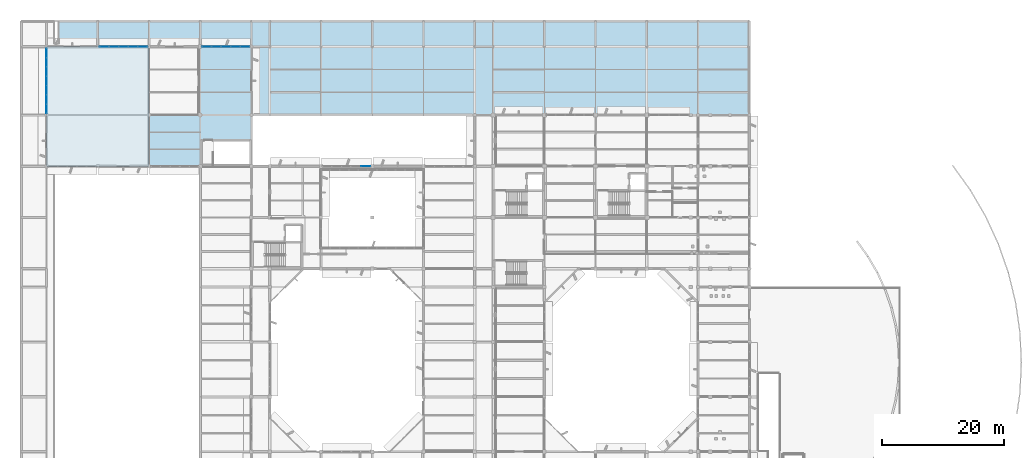
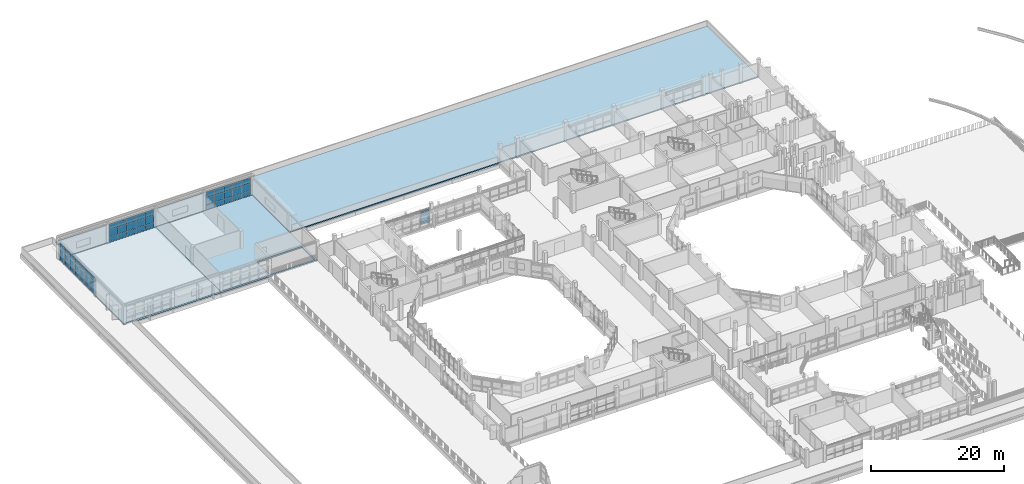
# One storey, part 54 of 92: 54 plates, 3 slabs, 4 elements without a shape of their own.
"""IFC4 building model written with IfcOpenShell, lengths in metres."""

from ifc_helpers import new_model, si_unit, direction, frame, origin, origin_2d, place, context, subcontext, project, spatial, polyline, rectangle, outline, extrude, material, layer, layer_set, type_object, element, aggregate, save


model = new_model("IFC4")

# Units and contexts
model_context = context("Model", 3, precision=1e-05, world=origin(), true_north=direction((0.0, 1.0)))
body_context = subcontext(model_context, "Body", "Model", "MODEL_VIEW")
ifc_project = project(units=[si_unit("LENGTHUNIT", "METRE"), si_unit("AREAUNIT", "SQUARE_METRE"), si_unit("VOLUMEUNIT", "CUBIC_METRE"), si_unit("PLANEANGLEUNIT", "RADIAN"), si_unit("MASSUNIT", "GRAM", prefix="KILO")], contexts=[model_context])

# Site, building, storey
site_placement = place(None, origin())
site = spatial("IfcSite", under=ifc_project, at=site_placement, CompositionType="ELEMENT")
building_placement = place(site_placement, origin())
building = spatial("IfcBuilding", under=site, at=building_placement, Name="Vanh Quang Courtyard School", CompositionType="ELEMENT")
storey_placement = place(building_placement, frame((0.0, 0.0, 7.800048828125)))
storey = spatial("IfcBuildingStorey", under=building, at=storey_placement, Name="L02", CompositionType="ELEMENT", Elevation=7.800048828125)

# Curtain wall, plates
ifc_material_1 = material(Name="Thermally broken aluminium unitised curtain wall", Category="aluminium")
curtain_wall_type_1 = type_object("IfcCurtainWallType", Name="CW-SYS-19", PredefinedType="NOTDEFINED", material=ifc_material_1)
curtain_wall_1_placement = place(storey_placement, origin())
curtain_wall_1 = element("IfcCurtainWall", 1, at=curtain_wall_1_placement, inside=storey, type_object=curtain_wall_type_1, Name="Curtain Wall CW-19 (L02)", PredefinedType="NOTDEFINED")
ifc_material_2 = material(Name="Low-E laminated double glazing", Category="glass")
ifc_layer_1 = layer(ifc_material_2, 0.028076171875)
ifc_layer_set_1 = layer_set([ifc_layer_1], Name="Low-E laminated double glazing")
plate_type_1 = type_object("IfcPlateType", Name="CW-PNL-28", PredefinedType="CURTAIN_PANEL", material=ifc_layer_set_1)
plate_1_placement = place(storey_placement, frame((56.53857421875, 88.199951171875, 0.06005859375), z_axis=(0.0, 0.0, 1.0), x_axis=(1.0, 0.0, 0.0)))
plate_1 = element("IfcPlate", 2, at=plate_1_placement, type_object=plate_type_1, Name="CW-19 panel 5.1", PredefinedType="CURTAIN_PANEL", context=body_context, shape_type="SweptSolid", body=[
    extrude(rectangle(XDim=1.48681640625, YDim=0.028076171875, at=origin_2d()), origin(), (0.0, 0.0, 1.0), 0.860107421875),
])
plate_2_placement = place(storey_placement, frame((56.53857421875, 88.199951171875, 0.97998046875), z_axis=(0.0, 0.0, 1.0), x_axis=(1.0, 0.0, 0.0)))
plate_2 = element("IfcPlate", 3, at=plate_2_placement, type_object=plate_type_1, Name="CW-19 panel 5.2", PredefinedType="CURTAIN_PANEL", context=body_context, shape_type="SweptSolid", body=[
    extrude(rectangle(XDim=1.48681640625, YDim=0.028076171875, at=origin_2d()), origin(), (0.0, 0.0, 1.0), 1.239990234375),
])
plate_3_placement = place(storey_placement, frame((56.53857421875, 88.199951171875, 2.27978515625), z_axis=(0.0, 0.0, 1.0), x_axis=(1.0, 0.0, 0.0)))
plate_3 = element("IfcPlate", 4, at=plate_3_placement, type_object=plate_type_1, Name="CW-19 panel 5.3", PredefinedType="CURTAIN_PANEL", context=body_context, shape_type="SweptSolid", body=[
    extrude(rectangle(XDim=1.48681640625, YDim=0.028076171875, at=origin_2d()), origin(), (0.0, 0.0, 1.0), 0.260009765625),
])
aggregate(curtain_wall_1, [plate_1, plate_2, plate_3])

curtain_wall_type_2 = type_object("IfcCurtainWallType", Name="CW-SYS-58", PredefinedType="NOTDEFINED", material=ifc_material_1)
curtain_wall_2_placement = place(storey_placement, origin())
curtain_wall_2 = element("IfcCurtainWall", 5, at=curtain_wall_2_placement, inside=storey, type_object=curtain_wall_type_2, Name="Curtain Wall CW-58 (L02)", PredefinedType="NOTDEFINED")
plate_4_placement = place(storey_placement, frame((13.663818359375, 107.800048828125, 0.06982421875), z_axis=(0.0, 0.0, 1.0), x_axis=(1.0, 0.0, 0.0)))
plate_4 = element("IfcPlate", 6, at=plate_4_placement, type_object=plate_type_1, Name="CW-58 panel 1.1", PredefinedType="CURTAIN_PANEL", context=body_context, shape_type="SweptSolid", body=[
    extrude(rectangle(XDim=1.4716796875, YDim=0.028076171875, at=origin_2d()), origin(), (0.0, 0.0, 1.0), 0.844970703125),
])
plate_5_placement = place(storey_placement, frame((13.663818359375, 107.800048828125, 0.98486328125), z_axis=(0.0, 0.0, 1.0), x_axis=(1.0, 0.0, 0.0)))
plate_5 = element("IfcPlate", 7, at=plate_5_placement, type_object=plate_type_1, Name="CW-58 panel 1.2", PredefinedType="CURTAIN_PANEL", context=body_context, shape_type="SweptSolid", body=[
    extrude(rectangle(XDim=1.4716796875, YDim=0.028076171875, at=origin_2d()), origin(), (0.0, 0.0, 1.0), 1.22998046875),
])
plate_6_placement = place(storey_placement, frame((13.663818359375, 107.800048828125, 2.28466796875), z_axis=(0.0, 0.0, 1.0), x_axis=(1.0, 0.0, 0.0)))
plate_6 = element("IfcPlate", 8, at=plate_6_placement, type_object=plate_type_1, Name="CW-58 panel 1.3", PredefinedType="CURTAIN_PANEL", context=body_context, shape_type="SweptSolid", body=[
    extrude(rectangle(XDim=1.4716796875, YDim=0.028076171875, at=origin_2d()), origin(), (0.0, 0.0, 1.0), 0.985107421875),
])
plate_7_placement = place(storey_placement, frame((15.22314453125, 107.800048828125, 0.06982421875), z_axis=(0.0, 0.0, 1.0), x_axis=(1.0, 0.0, 0.0)))
plate_7 = element("IfcPlate", 9, at=plate_7_placement, type_object=plate_type_1, Name="CW-58 panel 2.1", PredefinedType="CURTAIN_PANEL", context=body_context, shape_type="SweptSolid", body=[
    extrude(rectangle(XDim=1.5068359375, YDim=0.028076171875, at=origin_2d()), origin(), (0.0, 0.0, 1.0), 0.844970703125),
])
plate_8_placement = place(storey_placement, frame((15.22314453125, 107.800048828125, 0.98486328125), z_axis=(0.0, 0.0, 1.0), x_axis=(1.0, 0.0, 0.0)))
plate_8 = element("IfcPlate", 10, at=plate_8_placement, type_object=plate_type_1, Name="CW-58 panel 2.2", PredefinedType="CURTAIN_PANEL", context=body_context, shape_type="SweptSolid", body=[
    extrude(rectangle(XDim=1.5068359375, YDim=0.028076171875, at=origin_2d()), origin(), (0.0, 0.0, 1.0), 1.22998046875),
])
plate_9_placement = place(storey_placement, frame((15.22314453125, 107.800048828125, 2.28466796875), z_axis=(0.0, 0.0, 1.0), x_axis=(1.0, 0.0, 0.0)))
plate_9 = element("IfcPlate", 11, at=plate_9_placement, type_object=plate_type_1, Name="CW-58 panel 2.3", PredefinedType="CURTAIN_PANEL", context=body_context, shape_type="SweptSolid", body=[
    extrude(rectangle(XDim=1.5068359375, YDim=0.028076171875, at=origin_2d()), origin(), (0.0, 0.0, 1.0), 0.985107421875),
])
plate_10_placement = place(storey_placement, frame((16.800048828125, 107.800048828125, 0.06982421875), z_axis=(0.0, 0.0, 1.0), x_axis=(1.0, 0.0, 0.0)))
plate_10 = element("IfcPlate", 12, at=plate_10_placement, type_object=plate_type_1, Name="CW-58 panel 3.1", PredefinedType="CURTAIN_PANEL", context=body_context, shape_type="SweptSolid", body=[
    extrude(rectangle(XDim=1.5068359375, YDim=0.028076171875, at=origin_2d()), origin(), (0.0, 0.0, 1.0), 0.844970703125),
])
plate_11_placement = place(storey_placement, frame((16.800048828125, 107.800048828125, 0.98486328125), z_axis=(0.0, 0.0, 1.0), x_axis=(1.0, 0.0, 0.0)))
plate_11 = element("IfcPlate", 13, at=plate_11_placement, type_object=plate_type_1, Name="CW-58 panel 3.2", PredefinedType="CURTAIN_PANEL", context=body_context, shape_type="SweptSolid", body=[
    extrude(rectangle(XDim=1.5068359375, YDim=0.028076171875, at=origin_2d()), origin(), (0.0, 0.0, 1.0), 1.22998046875),
])
plate_12_placement = place(storey_placement, frame((16.800048828125, 107.800048828125, 2.28466796875), z_axis=(0.0, 0.0, 1.0), x_axis=(1.0, 0.0, 0.0)))
plate_12 = element("IfcPlate", 14, at=plate_12_placement, type_object=plate_type_1, Name="CW-58 panel 3.3", PredefinedType="CURTAIN_PANEL", context=body_context, shape_type="SweptSolid", body=[
    extrude(rectangle(XDim=1.5068359375, YDim=0.028076171875, at=origin_2d()), origin(), (0.0, 0.0, 1.0), 0.985107421875),
])
plate_13_placement = place(storey_placement, frame((18.376708984375, 107.800048828125, 0.06982421875), z_axis=(0.0, 0.0, 1.0), x_axis=(1.0, 0.0, 0.0)))
plate_13 = element("IfcPlate", 15, at=plate_13_placement, type_object=plate_type_1, Name="CW-58 panel 4.1", PredefinedType="CURTAIN_PANEL", context=body_context, shape_type="SweptSolid", body=[
    extrude(rectangle(XDim=1.5068359375, YDim=0.028076171875, at=origin_2d()), origin(), (0.0, 0.0, 1.0), 0.844970703125),
])
plate_14_placement = place(storey_placement, frame((18.376708984375, 107.800048828125, 0.98486328125), z_axis=(0.0, 0.0, 1.0), x_axis=(1.0, 0.0, 0.0)))
plate_14 = element("IfcPlate", 16, at=plate_14_placement, type_object=plate_type_1, Name="CW-58 panel 4.2", PredefinedType="CURTAIN_PANEL", context=body_context, shape_type="SweptSolid", body=[
    extrude(rectangle(XDim=1.5068359375, YDim=0.028076171875, at=origin_2d()), origin(), (0.0, 0.0, 1.0), 1.22998046875),
])
plate_15_placement = place(storey_placement, frame((18.376708984375, 107.800048828125, 2.28466796875), z_axis=(0.0, 0.0, 1.0), x_axis=(1.0, 0.0, 0.0)))
plate_15 = element("IfcPlate", 17, at=plate_15_placement, type_object=plate_type_1, Name="CW-58 panel 4.3", PredefinedType="CURTAIN_PANEL", context=body_context, shape_type="SweptSolid", body=[
    extrude(rectangle(XDim=1.5068359375, YDim=0.028076171875, at=origin_2d()), origin(), (0.0, 0.0, 1.0), 0.985107421875),
])
plate_16_placement = place(storey_placement, frame((19.93603515625, 107.800048828125, 0.06982421875), z_axis=(0.0, 0.0, 1.0), x_axis=(1.0, 0.0, 0.0)))
plate_16 = element("IfcPlate", 18, at=plate_16_placement, type_object=plate_type_1, Name="CW-58 panel 5.1", PredefinedType="CURTAIN_PANEL", context=body_context, shape_type="SweptSolid", body=[
    extrude(rectangle(XDim=1.4716796875, YDim=0.028076171875, at=origin_2d()), origin(), (0.0, 0.0, 1.0), 0.844970703125),
])
plate_17_placement = place(storey_placement, frame((19.93603515625, 107.800048828125, 0.98486328125), z_axis=(0.0, 0.0, 1.0), x_axis=(1.0, 0.0, 0.0)))
plate_17 = element("IfcPlate", 19, at=plate_17_placement, type_object=plate_type_1, Name="CW-58 panel 5.2", PredefinedType="CURTAIN_PANEL", context=body_context, shape_type="SweptSolid", body=[
    extrude(rectangle(XDim=1.4716796875, YDim=0.028076171875, at=origin_2d()), origin(), (0.0, 0.0, 1.0), 1.22998046875),
])
plate_18_placement = place(storey_placement, frame((19.93603515625, 107.800048828125, 2.28466796875), z_axis=(0.0, 0.0, 1.0), x_axis=(1.0, 0.0, 0.0)))
plate_18 = element("IfcPlate", 20, at=plate_18_placement, type_object=plate_type_1, Name="CW-58 panel 5.3", PredefinedType="CURTAIN_PANEL", context=body_context, shape_type="SweptSolid", body=[
    extrude(rectangle(XDim=1.4716796875, YDim=0.028076171875, at=origin_2d()), origin(), (0.0, 0.0, 1.0), 0.985107421875),
])
aggregate(curtain_wall_2, [plate_4, plate_5, plate_6, plate_7, plate_8, plate_9, plate_10, plate_11, plate_12, plate_13, plate_14, plate_15, plate_16, plate_17, plate_18])

curtain_wall_type_3 = type_object("IfcCurtainWallType", Name="CW-SYS-57", PredefinedType="NOTDEFINED", material=ifc_material_1)
curtain_wall_3_placement = place(storey_placement, origin())
curtain_wall_3 = element("IfcCurtainWall", 21, at=curtain_wall_3_placement, inside=storey, type_object=curtain_wall_type_3, Name="Curtain Wall CW-57 (L02)", PredefinedType="NOTDEFINED")
ifc_layer_2 = layer(ifc_material_2, 0.031982421875)
ifc_layer_set_2 = layer_set([ifc_layer_2], Name="Low-E laminated double glazing")
plate_type_2 = type_object("IfcPlateType", Name="CW-PNL-32", PredefinedType="CURTAIN_PANEL", material=ifc_layer_set_2)
plate_19_placement = place(storey_placement, frame((4.199951171875, 97.63623046875, 0.06005859375), z_axis=(0.0, 0.0, 1.0), x_axis=(0.0, 1.0, 0.0)))
plate_19 = element("IfcPlate", 22, at=plate_19_placement, type_object=plate_type_2, Name="CW-57 panel 1.1", PredefinedType="CURTAIN_PANEL", context=body_context, shape_type="SweptSolid", body=[
    extrude(rectangle(XDim=1.436279296875, YDim=0.031982421875, at=origin_2d()), origin(), (0.0, 0.0, 1.0), 0.860107421875),
])
plate_20_placement = place(storey_placement, frame((4.199951171875, 97.63623046875, 0.97998046875), z_axis=(0.0, 0.0, 1.0), x_axis=(0.0, 1.0, 0.0)))
plate_20 = element("IfcPlate", 23, at=plate_20_placement, type_object=plate_type_2, Name="CW-57 panel 1.2", PredefinedType="CURTAIN_PANEL", context=body_context, shape_type="SweptSolid", body=[
    extrude(rectangle(XDim=1.436279296875, YDim=0.031982421875, at=origin_2d()), origin(), (0.0, 0.0, 1.0), 1.239990234375),
])
plate_21_placement = place(storey_placement, frame((4.199951171875, 97.63623046875, 2.27978515625), z_axis=(0.0, 0.0, 1.0), x_axis=(0.0, 1.0, 0.0)))
plate_21 = element("IfcPlate", 24, at=plate_21_placement, type_object=plate_type_2, Name="CW-57 panel 1.3", PredefinedType="CURTAIN_PANEL", context=body_context, shape_type="SweptSolid", body=[
    extrude(rectangle(XDim=1.436279296875, YDim=0.031982421875, at=origin_2d()), origin(), (0.0, 0.0, 1.0), 0.860107421875),
])
plate_22_placement = place(storey_placement, frame((4.199951171875, 99.1474609375, 0.06005859375), z_axis=(0.0, 0.0, 1.0), x_axis=(0.0, 1.0, 0.0)))
plate_22 = element("IfcPlate", 25, at=plate_22_placement, type_object=plate_type_2, Name="CW-57 panel 2.1", PredefinedType="CURTAIN_PANEL", context=body_context, shape_type="SweptSolid", body=[
    extrude(rectangle(XDim=1.46630859375, YDim=0.031982421875, at=origin_2d()), origin(), (0.0, 0.0, 1.0), 0.860107421875),
])
plate_23_placement = place(storey_placement, frame((4.199951171875, 99.1474609375, 0.97998046875), z_axis=(0.0, 0.0, 1.0), x_axis=(0.0, 1.0, 0.0)))
plate_23 = element("IfcPlate", 26, at=plate_23_placement, type_object=plate_type_2, Name="CW-57 panel 2.2", PredefinedType="CURTAIN_PANEL", context=body_context, shape_type="SweptSolid", body=[
    extrude(rectangle(XDim=1.46630859375, YDim=0.031982421875, at=origin_2d()), origin(), (0.0, 0.0, 1.0), 1.239990234375),
])
plate_24_placement = place(storey_placement, frame((4.199951171875, 99.1474609375, 2.27978515625), z_axis=(0.0, 0.0, 1.0), x_axis=(0.0, 1.0, 0.0)))
plate_24 = element("IfcPlate", 27, at=plate_24_placement, type_object=plate_type_2, Name="CW-57 panel 2.3", PredefinedType="CURTAIN_PANEL", context=body_context, shape_type="SweptSolid", body=[
    extrude(rectangle(XDim=1.46630859375, YDim=0.031982421875, at=origin_2d()), origin(), (0.0, 0.0, 1.0), 0.860107421875),
])
plate_25_placement = place(storey_placement, frame((4.199951171875, 100.673828125, 0.06005859375), z_axis=(0.0, 0.0, 1.0), x_axis=(0.0, 1.0, 0.0)))
plate_25 = element("IfcPlate", 28, at=plate_25_placement, type_object=plate_type_2, Name="CW-57 panel 3.1", PredefinedType="CURTAIN_PANEL", context=body_context, shape_type="SweptSolid", body=[
    extrude(rectangle(XDim=1.46630859375, YDim=0.031982421875, at=origin_2d()), origin(), (0.0, 0.0, 1.0), 0.860107421875),
])
plate_26_placement = place(storey_placement, frame((4.199951171875, 100.673828125, 0.97998046875), z_axis=(0.0, 0.0, 1.0), x_axis=(0.0, 1.0, 0.0)))
plate_26 = element("IfcPlate", 29, at=plate_26_placement, type_object=plate_type_2, Name="CW-57 panel 3.2", PredefinedType="CURTAIN_PANEL", context=body_context, shape_type="SweptSolid", body=[
    extrude(rectangle(XDim=1.46630859375, YDim=0.031982421875, at=origin_2d()), origin(), (0.0, 0.0, 1.0), 1.239990234375),
])
plate_27_placement = place(storey_placement, frame((4.199951171875, 100.673828125, 2.27978515625), z_axis=(0.0, 0.0, 1.0), x_axis=(0.0, 1.0, 0.0)))
plate_27 = element("IfcPlate", 30, at=plate_27_placement, type_object=plate_type_2, Name="CW-57 panel 3.3", PredefinedType="CURTAIN_PANEL", context=body_context, shape_type="SweptSolid", body=[
    extrude(rectangle(XDim=1.46630859375, YDim=0.031982421875, at=origin_2d()), origin(), (0.0, 0.0, 1.0), 0.860107421875),
])
plate_28_placement = place(storey_placement, frame((4.199951171875, 102.199951171875, 0.06005859375), z_axis=(0.0, 0.0, 1.0), x_axis=(0.0, 1.0, 0.0)))
plate_28 = element("IfcPlate", 31, at=plate_28_placement, type_object=plate_type_2, Name="CW-57 panel 4.1", PredefinedType="CURTAIN_PANEL", context=body_context, shape_type="SweptSolid", body=[
    extrude(rectangle(XDim=1.46630859375, YDim=0.031982421875, at=origin_2d()), origin(), (0.0, 0.0, 1.0), 0.860107421875),
])
plate_29_placement = place(storey_placement, frame((4.199951171875, 102.199951171875, 0.97998046875), z_axis=(0.0, 0.0, 1.0), x_axis=(0.0, 1.0, 0.0)))
plate_29 = element("IfcPlate", 32, at=plate_29_placement, type_object=plate_type_2, Name="CW-57 panel 4.2", PredefinedType="CURTAIN_PANEL", context=body_context, shape_type="SweptSolid", body=[
    extrude(rectangle(XDim=1.46630859375, YDim=0.031982421875, at=origin_2d()), origin(), (0.0, 0.0, 1.0), 1.239990234375),
])
plate_30_placement = place(storey_placement, frame((4.199951171875, 102.199951171875, 2.27978515625), z_axis=(0.0, 0.0, 1.0), x_axis=(0.0, 1.0, 0.0)))
plate_30 = element("IfcPlate", 33, at=plate_30_placement, type_object=plate_type_2, Name="CW-57 panel 4.3", PredefinedType="CURTAIN_PANEL", context=body_context, shape_type="SweptSolid", body=[
    extrude(rectangle(XDim=1.46630859375, YDim=0.031982421875, at=origin_2d()), origin(), (0.0, 0.0, 1.0), 0.860107421875),
])
plate_31_placement = place(storey_placement, frame((4.199951171875, 103.726318359375, 0.06005859375), z_axis=(0.0, 0.0, 1.0), x_axis=(0.0, 1.0, 0.0)))
plate_31 = element("IfcPlate", 34, at=plate_31_placement, type_object=plate_type_2, Name="CW-57 panel 5.1", PredefinedType="CURTAIN_PANEL", context=body_context, shape_type="SweptSolid", body=[
    extrude(rectangle(XDim=1.46630859375, YDim=0.031982421875, at=origin_2d()), origin(), (0.0, 0.0, 1.0), 0.860107421875),
])
plate_32_placement = place(storey_placement, frame((4.199951171875, 103.726318359375, 0.97998046875), z_axis=(0.0, 0.0, 1.0), x_axis=(0.0, 1.0, 0.0)))
plate_32 = element("IfcPlate", 35, at=plate_32_placement, type_object=plate_type_2, Name="CW-57 panel 5.2", PredefinedType="CURTAIN_PANEL", context=body_context, shape_type="SweptSolid", body=[
    extrude(rectangle(XDim=1.46630859375, YDim=0.031982421875, at=origin_2d()), origin(), (0.0, 0.0, 1.0), 1.239990234375),
])
plate_33_placement = place(storey_placement, frame((4.199951171875, 103.726318359375, 2.27978515625), z_axis=(0.0, 0.0, 1.0), x_axis=(0.0, 1.0, 0.0)))
plate_33 = element("IfcPlate", 36, at=plate_33_placement, type_object=plate_type_2, Name="CW-57 panel 5.3", PredefinedType="CURTAIN_PANEL", context=body_context, shape_type="SweptSolid", body=[
    extrude(rectangle(XDim=1.46630859375, YDim=0.031982421875, at=origin_2d()), origin(), (0.0, 0.0, 1.0), 0.860107421875),
])
plate_34_placement = place(storey_placement, frame((4.199951171875, 105.252685546875, 0.06005859375), z_axis=(0.0, 0.0, 1.0), x_axis=(0.0, 1.0, 0.0)))
plate_34 = element("IfcPlate", 37, at=plate_34_placement, type_object=plate_type_2, Name="CW-57 panel 6.1", PredefinedType="CURTAIN_PANEL", context=body_context, shape_type="SweptSolid", body=[
    extrude(rectangle(XDim=1.46630859375, YDim=0.031982421875, at=origin_2d()), origin(), (0.0, 0.0, 1.0), 0.860107421875),
])
plate_35_placement = place(storey_placement, frame((4.199951171875, 105.252685546875, 0.97998046875), z_axis=(0.0, 0.0, 1.0), x_axis=(0.0, 1.0, 0.0)))
plate_35 = element("IfcPlate", 38, at=plate_35_placement, type_object=plate_type_2, Name="CW-57 panel 6.2", PredefinedType="CURTAIN_PANEL", context=body_context, shape_type="SweptSolid", body=[
    extrude(rectangle(XDim=1.46630859375, YDim=0.031982421875, at=origin_2d()), origin(), (0.0, 0.0, 1.0), 1.239990234375),
])
plate_36_placement = place(storey_placement, frame((4.199951171875, 105.252685546875, 2.27978515625), z_axis=(0.0, 0.0, 1.0), x_axis=(0.0, 1.0, 0.0)))
plate_36 = element("IfcPlate", 39, at=plate_36_placement, type_object=plate_type_2, Name="CW-57 panel 6.3", PredefinedType="CURTAIN_PANEL", context=body_context, shape_type="SweptSolid", body=[
    extrude(rectangle(XDim=1.46630859375, YDim=0.031982421875, at=origin_2d()), origin(), (0.0, 0.0, 1.0), 0.860107421875),
])
plate_37_placement = place(storey_placement, frame((4.199951171875, 106.763916015625, 0.06005859375), z_axis=(0.0, 0.0, 1.0), x_axis=(0.0, 1.0, 0.0)))
plate_37 = element("IfcPlate", 40, at=plate_37_placement, type_object=plate_type_2, Name="CW-57 panel 7.1", PredefinedType="CURTAIN_PANEL", context=body_context, shape_type="SweptSolid", body=[
    extrude(rectangle(XDim=1.436279296875, YDim=0.031982421875, at=origin_2d()), origin(), (0.0, 0.0, 1.0), 0.860107421875),
])
plate_38_placement = place(storey_placement, frame((4.199951171875, 106.763916015625, 0.97998046875), z_axis=(0.0, 0.0, 1.0), x_axis=(0.0, 1.0, 0.0)))
plate_38 = element("IfcPlate", 41, at=plate_38_placement, type_object=plate_type_2, Name="CW-57 panel 7.2", PredefinedType="CURTAIN_PANEL", context=body_context, shape_type="SweptSolid", body=[
    extrude(rectangle(XDim=1.436279296875, YDim=0.031982421875, at=origin_2d()), origin(), (0.0, 0.0, 1.0), 1.239990234375),
])
plate_39_placement = place(storey_placement, frame((4.199951171875, 106.763916015625, 2.27978515625), z_axis=(0.0, 0.0, 1.0), x_axis=(0.0, 1.0, 0.0)))
plate_39 = element("IfcPlate", 42, at=plate_39_placement, type_object=plate_type_2, Name="CW-57 panel 7.3", PredefinedType="CURTAIN_PANEL", context=body_context, shape_type="SweptSolid", body=[
    extrude(rectangle(XDim=1.436279296875, YDim=0.031982421875, at=origin_2d()), origin(), (0.0, 0.0, 1.0), 0.860107421875),
])
aggregate(curtain_wall_3, [plate_19, plate_20, plate_21, plate_22, plate_23, plate_24, plate_25, plate_26, plate_27, plate_28, plate_29, plate_30, plate_31, plate_32, plate_33, plate_34, plate_35, plate_36, plate_37, plate_38, plate_39])

curtain_wall_4_placement = place(storey_placement, origin())
curtain_wall_4 = element("IfcCurtainWall", 43, at=curtain_wall_4_placement, inside=storey, type_object=curtain_wall_type_2, Name="Curtain Wall CW-58 (L02)", PredefinedType="NOTDEFINED")
plate_40_placement = place(storey_placement, frame((30.46630859375, 107.800048828125, 0.079833984375), z_axis=(0.0, 0.0, 1.0), x_axis=(1.0, 0.0, 0.0)))
plate_40 = element("IfcPlate", 44, at=plate_40_placement, type_object=plate_type_2, Name="CW-58 panel 1.1", PredefinedType="CURTAIN_PANEL", context=body_context, shape_type="SweptSolid", body=[
    extrude(rectangle(XDim=1.456787109375, YDim=0.031982421875, at=origin_2d()), origin(), (0.0, 0.0, 1.0), 0.830078125),
])
plate_41_placement = place(storey_placement, frame((30.46630859375, 107.800048828125, 0.98974609375), z_axis=(0.0, 0.0, 1.0), x_axis=(1.0, 0.0, 0.0)))
plate_41 = element("IfcPlate", 45, at=plate_41_placement, type_object=plate_type_2, Name="CW-58 panel 1.2", PredefinedType="CURTAIN_PANEL", context=body_context, shape_type="SweptSolid", body=[
    extrude(rectangle(XDim=1.456787109375, YDim=0.031982421875, at=origin_2d()), origin(), (0.0, 0.0, 1.0), 1.219970703125),
])
plate_42_placement = place(storey_placement, frame((30.46630859375, 107.800048828125, 2.2900390625), z_axis=(0.0, 0.0, 1.0), x_axis=(1.0, 0.0, 0.0)))
plate_42 = element("IfcPlate", 46, at=plate_42_placement, type_object=plate_type_2, Name="CW-58 panel 1.3", PredefinedType="CURTAIN_PANEL", context=body_context, shape_type="SweptSolid", body=[
    extrude(rectangle(XDim=1.456787109375, YDim=0.031982421875, at=origin_2d()), origin(), (0.0, 0.0, 1.0), 0.969970703125),
])
plate_43_placement = place(storey_placement, frame((32.023193359375, 107.800048828125, 0.079833984375), z_axis=(0.0, 0.0, 1.0), x_axis=(1.0, 0.0, 0.0)))
plate_43 = element("IfcPlate", 47, at=plate_43_placement, type_object=plate_type_2, Name="CW-58 panel 2.1", PredefinedType="CURTAIN_PANEL", context=body_context, shape_type="SweptSolid", body=[
    extrude(rectangle(XDim=1.496826171875, YDim=0.031982421875, at=origin_2d()), origin(), (0.0, 0.0, 1.0), 0.830078125),
])
plate_44_placement = place(storey_placement, frame((32.023193359375, 107.800048828125, 0.98974609375), z_axis=(0.0, 0.0, 1.0), x_axis=(1.0, 0.0, 0.0)))
plate_44 = element("IfcPlate", 48, at=plate_44_placement, type_object=plate_type_2, Name="CW-58 panel 2.2", PredefinedType="CURTAIN_PANEL", context=body_context, shape_type="SweptSolid", body=[
    extrude(rectangle(XDim=1.496826171875, YDim=0.031982421875, at=origin_2d()), origin(), (0.0, 0.0, 1.0), 1.219970703125),
])
plate_45_placement = place(storey_placement, frame((32.023193359375, 107.800048828125, 2.2900390625), z_axis=(0.0, 0.0, 1.0), x_axis=(1.0, 0.0, 0.0)))
plate_45 = element("IfcPlate", 49, at=plate_45_placement, type_object=plate_type_2, Name="CW-58 panel 2.3", PredefinedType="CURTAIN_PANEL", context=body_context, shape_type="SweptSolid", body=[
    extrude(rectangle(XDim=1.496826171875, YDim=0.031982421875, at=origin_2d()), origin(), (0.0, 0.0, 1.0), 0.969970703125),
])
plate_46_placement = place(storey_placement, frame((33.60009765625, 107.800048828125, 0.079833984375), z_axis=(0.0, 0.0, 1.0), x_axis=(1.0, 0.0, 0.0)))
plate_46 = element("IfcPlate", 50, at=plate_46_placement, type_object=plate_type_2, Name="CW-58 panel 3.1", PredefinedType="CURTAIN_PANEL", context=body_context, shape_type="SweptSolid", body=[
    extrude(rectangle(XDim=1.496826171875, YDim=0.031982421875, at=origin_2d()), origin(), (0.0, 0.0, 1.0), 0.830078125),
])
plate_47_placement = place(storey_placement, frame((33.60009765625, 107.800048828125, 0.98974609375), z_axis=(0.0, 0.0, 1.0), x_axis=(1.0, 0.0, 0.0)))
plate_47 = element("IfcPlate", 51, at=plate_47_placement, type_object=plate_type_2, Name="CW-58 panel 3.2", PredefinedType="CURTAIN_PANEL", context=body_context, shape_type="SweptSolid", body=[
    extrude(rectangle(XDim=1.496826171875, YDim=0.031982421875, at=origin_2d()), origin(), (0.0, 0.0, 1.0), 1.219970703125),
])
plate_48_placement = place(storey_placement, frame((33.60009765625, 107.800048828125, 2.2900390625), z_axis=(0.0, 0.0, 1.0), x_axis=(1.0, 0.0, 0.0)))
plate_48 = element("IfcPlate", 52, at=plate_48_placement, type_object=plate_type_2, Name="CW-58 panel 3.3", PredefinedType="CURTAIN_PANEL", context=body_context, shape_type="SweptSolid", body=[
    extrude(rectangle(XDim=1.496826171875, YDim=0.031982421875, at=origin_2d()), origin(), (0.0, 0.0, 1.0), 0.969970703125),
])
plate_49_placement = place(storey_placement, frame((35.1767578125, 107.800048828125, 0.079833984375), z_axis=(0.0, 0.0, 1.0), x_axis=(1.0, 0.0, 0.0)))
plate_49 = element("IfcPlate", 53, at=plate_49_placement, type_object=plate_type_2, Name="CW-58 panel 4.1", PredefinedType="CURTAIN_PANEL", context=body_context, shape_type="SweptSolid", body=[
    extrude(rectangle(XDim=1.496826171875, YDim=0.031982421875, at=origin_2d()), origin(), (0.0, 0.0, 1.0), 0.830078125),
])
plate_50_placement = place(storey_placement, frame((35.1767578125, 107.800048828125, 0.98974609375), z_axis=(0.0, 0.0, 1.0), x_axis=(1.0, 0.0, 0.0)))
plate_50 = element("IfcPlate", 54, at=plate_50_placement, type_object=plate_type_2, Name="CW-58 panel 4.2", PredefinedType="CURTAIN_PANEL", context=body_context, shape_type="SweptSolid", body=[
    extrude(rectangle(XDim=1.496826171875, YDim=0.031982421875, at=origin_2d()), origin(), (0.0, 0.0, 1.0), 1.219970703125),
])
plate_51_placement = place(storey_placement, frame((35.1767578125, 107.800048828125, 2.2900390625), z_axis=(0.0, 0.0, 1.0), x_axis=(1.0, 0.0, 0.0)))
plate_51 = element("IfcPlate", 55, at=plate_51_placement, type_object=plate_type_2, Name="CW-58 panel 4.3", PredefinedType="CURTAIN_PANEL", context=body_context, shape_type="SweptSolid", body=[
    extrude(rectangle(XDim=1.496826171875, YDim=0.031982421875, at=origin_2d()), origin(), (0.0, 0.0, 1.0), 0.969970703125),
])
plate_52_placement = place(storey_placement, frame((36.733642578125, 107.800048828125, 0.079833984375), z_axis=(0.0, 0.0, 1.0), x_axis=(1.0, 0.0, 0.0)))
plate_52 = element("IfcPlate", 56, at=plate_52_placement, type_object=plate_type_2, Name="CW-58 panel 5.1", PredefinedType="CURTAIN_PANEL", context=body_context, shape_type="SweptSolid", body=[
    extrude(rectangle(XDim=1.456787109375, YDim=0.031982421875, at=origin_2d()), origin(), (0.0, 0.0, 1.0), 0.830078125),
])
plate_53_placement = place(storey_placement, frame((36.733642578125, 107.800048828125, 0.98974609375), z_axis=(0.0, 0.0, 1.0), x_axis=(1.0, 0.0, 0.0)))
plate_53 = element("IfcPlate", 57, at=plate_53_placement, type_object=plate_type_2, Name="CW-58 panel 5.2", PredefinedType="CURTAIN_PANEL", context=body_context, shape_type="SweptSolid", body=[
    extrude(rectangle(XDim=1.456787109375, YDim=0.031982421875, at=origin_2d()), origin(), (0.0, 0.0, 1.0), 1.219970703125),
])
plate_54_placement = place(storey_placement, frame((36.733642578125, 107.800048828125, 2.2900390625), z_axis=(0.0, 0.0, 1.0), x_axis=(1.0, 0.0, 0.0)))
plate_54 = element("IfcPlate", 58, at=plate_54_placement, type_object=plate_type_2, Name="CW-58 panel 5.3", PredefinedType="CURTAIN_PANEL", context=body_context, shape_type="SweptSolid", body=[
    extrude(rectangle(XDim=1.456787109375, YDim=0.031982421875, at=origin_2d()), origin(), (0.0, 0.0, 1.0), 0.969970703125),
])
aggregate(curtain_wall_4, [plate_40, plate_41, plate_42, plate_43, plate_44, plate_45, plate_46, plate_47, plate_48, plate_49, plate_50, plate_51, plate_52, plate_53, plate_54])

# Slabs
ifc_material_3 = material(Name="Concrete C30/37", Category="concrete")
ifc_layer_3 = layer(ifc_material_3, 0.280029296875)
ifc_layer_set_3 = layer_set([ifc_layer_3], Name="Concrete C30/37")
slab_type_1 = type_object("IfcSlabType", Name="SLB-FLR-280", PredefinedType="FLOOR", material=ifc_layer_set_3)
slab_1_placement = place(storey_placement, frame((0.0, 0.0, -0.280029296875)))
element("IfcSlab", 59, at=slab_1_placement, inside=storey, type_object=slab_type_1, Name="Slab SF-02 (L02)", PredefinedType="FLOOR", context=body_context, shape_type="SweptSolid", body=[
    extrude(outline(polyline([(21.0, 88.199951171875), (21.0, 107.800048828125), (4.199951171875, 107.800048828125), (4.199951171875, 88.199951171875), (21.0, 88.199951171875)])), origin(), (0.0, 0.0, 1.0), 0.280029296875),
])
slab_2_placement = place(storey_placement, frame((0.0, 0.0, -0.280029296875)))
element("IfcSlab", 60, at=slab_2_placement, inside=storey, type_object=slab_type_1, Name="Slab SF-02 (L02)", PredefinedType="FLOOR", context=body_context, shape_type="SweptSolid", body=[
    extrude(outline(polyline([(37.800048828125, 88.199951171875), (37.800048828125, 107.800048828125), (21.0, 107.800048828125), (21.0, 88.199951171875), (37.800048828125, 88.199951171875)]), holes=[polyline([(29.679931640625, 88.47998046875), (29.679931640625, 92.340087890625), (37.52001953125, 92.340087890625), (37.52001953125, 88.47998046875), (29.679931640625, 88.47998046875)])]), origin(), (0.0, 0.0, 1.0), 0.280029296875),
])
ifc_material_4 = material(Name="Concrete C35/45", Category="concrete")
ifc_layer_4 = layer(ifc_material_4, 0.219970703125)
ifc_layer_set_4 = layer_set([ifc_layer_4], Name="Concrete C35/45")
slab_type_2 = type_object("IfcSlabType", Name="SLB-ROOF-220", PredefinedType="ROOF", material=ifc_layer_set_4)
slab_3_placement = place(storey_placement, frame((0.0, 0.0, -0.219970703125)))
element("IfcSlab", 61, at=slab_3_placement, inside=storey, type_object=slab_type_2, Name="Slab SR-01 (L02)", PredefinedType="ROOF", context=body_context, shape_type="SweptSolid", body=[
    extrude(outline(polyline([(119.39990234375, 112.0), (6.050048828125, 112.0), (6.050048828125, 107.85009765625), (37.800048828125, 107.85009765625), (37.823486328125, 107.843994140625), (37.83544921875, 107.83544921875), (37.843994140625, 107.823486328125), (37.85009765625, 107.800048828125), (37.85009765625, 96.60009765625), (74.35009765625, 96.60009765625), (74.353759765625, 96.619140625), (74.364501953125, 96.635498046875), (74.380859375, 96.646240234375), (74.39990234375, 96.64990234375), (119.39990234375, 96.64990234375), (119.39990234375, 112.0)])), origin(), (0.0, 0.0, 1.0), 0.219970703125),
])

save(model, "model.ifc")
